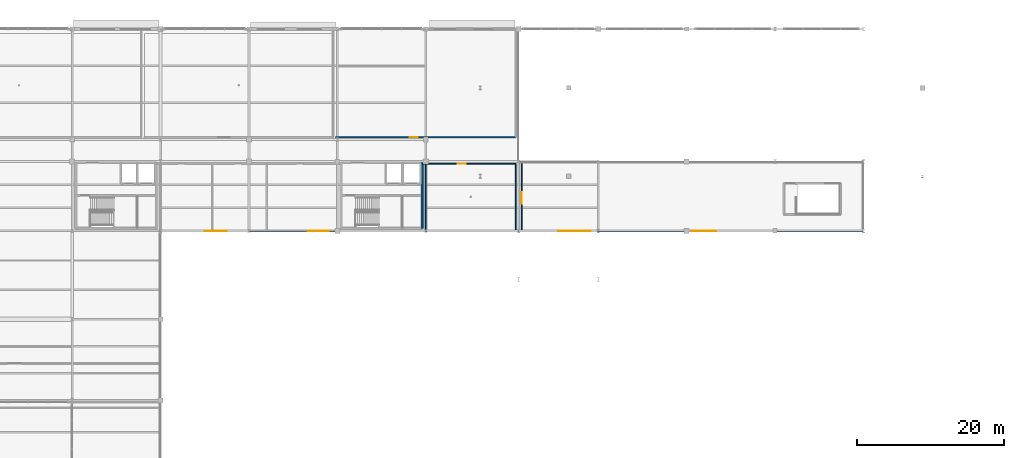
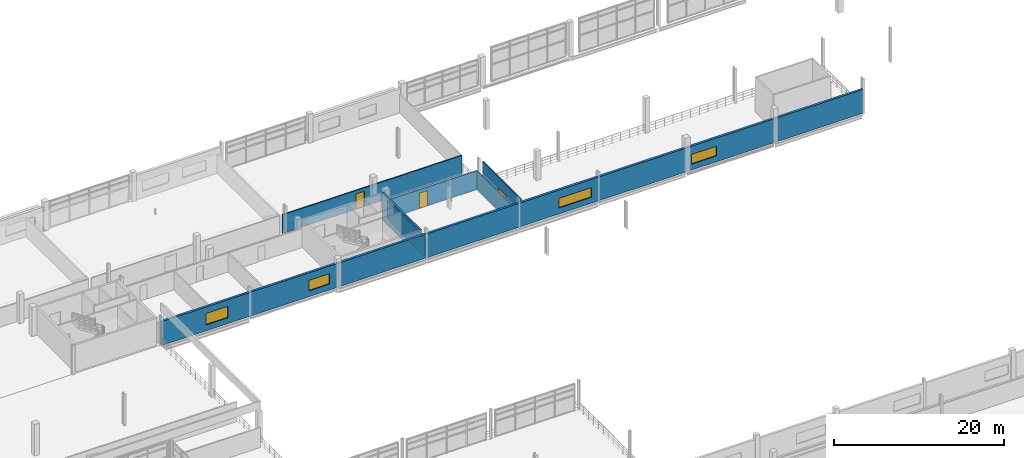
# One storey, part 69 of 89: 7 walls, 4 windows, 3 doors, 7 openings.
"""IFC4 building model written with IfcOpenShell, lengths in metres."""

from ifc_helpers import new_model, si_unit, direction, frame, frame_2d, origin, place, context, subcontext, project, spatial, rectangle, extrude, material, layer, layer_set, type_object, element, fill, save


model = new_model("IFC4")

# Units and contexts
model_context = context("Model", 3, precision=1e-05, world=origin(), true_north=direction((0.0, 1.0)))
body_context = subcontext(model_context, "Body", "Model", "MODEL_VIEW")
ifc_project = project(units=[si_unit("LENGTHUNIT", "METRE"), si_unit("AREAUNIT", "SQUARE_METRE"), si_unit("VOLUMEUNIT", "CUBIC_METRE"), si_unit("PLANEANGLEUNIT", "RADIAN"), si_unit("MASSUNIT", "GRAM", prefix="KILO"), si_unit("THERMODYNAMICTEMPERATUREUNIT", "KELVIN"), si_unit("POWERUNIT", "WATT")], contexts=[model_context])

# Site, building, storey
site_placement = place(None, origin())
site = spatial("IfcSite", under=ifc_project, at=site_placement, CompositionType="ELEMENT")
building_placement = place(site_placement, origin())
building = spatial("IfcBuilding", under=site, at=building_placement, Name="Solmara Park Aquatics Centre", CompositionType="ELEMENT")
storey_placement = place(building_placement, frame((0.0, 0.0, 5.39990234375)))
storey = spatial("IfcBuildingStorey", under=building, at=storey_placement, Name="L01", CompositionType="ELEMENT", Elevation=5.39990234375)

# Walls
ifc_material_1 = material(Name="Double-Stud Acoustic Gypsum Partition", Category="gypsum")
ifc_layer_1 = layer(ifc_material_1, 0.139892578125, Name="Double-Stud Acoustic Gypsum Partition")
ifc_layer_set_1 = layer_set([ifc_layer_1], Name="Double-Stud Acoustic Gypsum Partition")
wall_type_1 = type_object("IfcWallType", Name="ARC-WL-ACU140", PredefinedType="PARTITIONING", material=ifc_layer_set_1)
for number, where, z_axis, x_axis, name in (
    (1, (96.60009765625, 108.75, 0.0), (0.0, 0.0, 1.0), (0.0, 1.0, 0.0), "Interior Partition IW-L01-0108 (L01-LAB-01)"),
    (2, (108.800048828125, 108.75, 0.0), (0.0, 0.0, 1.0), (0.0, 1.0, 0.0), "Interior Partition IW-L01-0109 (L01-LAB-01)"),
):
    element("IfcWall", number, at=place(storey_placement, frame(where, z_axis=z_axis, x_axis=x_axis)), inside=storey, type_object=wall_type_1, Name=name, PredefinedType="PARTITIONING", context=body_context, shape_type="SweptSolid", body=[
        extrude(rectangle(XDim=8.949951171875, YDim=0.139892578125, at=frame_2d((4.47509765625, 0.0))), origin(), (0.0, 0.0, 1.0), 2.7001953125),
    ])

# Wall, opening, door
wall_1_placement = place(storey_placement, frame((96.110107421875, 117.699951171875, 0.0), z_axis=(0.0, 0.0, 1.0), x_axis=(1.0, 0.0, 0.0)))
wall_1 = element("IfcWall", 3, at=wall_1_placement, inside=storey, type_object=wall_type_1, Name="Interior Partition IW-L01-0110 (L01-LAB-01)", PredefinedType="PARTITIONING", context=body_context, shape_type="SweptSolid", body=[
    extrude(rectangle(XDim=12.68994140625, YDim=0.139892578125, at=frame_2d((6.344970703125, 0.0))), origin(), (0.0, 0.0, 1.0), 2.7001953125),
])
opening_1_placement = place(wall_1_placement, frame((4.840087890625, 0.0, 0.0)))
opening_1 = element("IfcOpeningElement", 4, at=opening_1_placement, cuts=wall_1, Name="Opening D-15", PredefinedType="OPENING", context=body_context, shape_type="SweptSolid", body=[
    extrude(rectangle(XDim=1.10009765625, YDim=2.199951171875, at=frame_2d((0.550048828125, 1.10009765625))), frame((0.0, 0.079833984375, 0.0), z_axis=(0.0, -1.0, 0.0), x_axis=(1.0, 0.0, 0.0)), (0.0, 0.0, 1.0), 0.159912109375),
])
ifc_material_2 = material(Name="Moisture-Resistant HPL & Hardwood", Category="wood")
door_type_1 = type_object("IfcDoorType", Name="ARC-DR-SGL110x220", OperationType="NOTDEFINED", PredefinedType="DOOR", material=ifc_material_2)
door_1_placement = place(opening_1_placement, origin())
door_1 = element("IfcDoor", 5, at=door_1_placement, inside=storey, type_object=door_type_1, Name="VO2-Max Exercise Physiology Testing Suite Door", OperationType="SINGLE_SWING_LEFT", OverallHeight=2.199951171875, OverallWidth=1.10009765625, PredefinedType="DOOR", context=body_context, shape_type="SweptSolid", body=[
    extrude(rectangle(XDim=1.10009765625, YDim=2.199951171875, at=frame_2d((0.550048828125, 1.10009765625))), frame((0.0, 0.02490234375, 0.0), z_axis=(0.0, -1.0, 0.0), x_axis=(1.0, 0.0, 0.0)), (0.0, 0.0, 1.0), 0.050048828125),
])
fill(opening_1, door_1)

# Wall
ifc_material_3 = material(Name="Concrete C40/50", Category="concrete")
ifc_layer_2 = layer(ifc_material_3, 0.25, Name="Concrete C40/50")
ifc_layer_set_2 = layer_set([ifc_layer_2], Name="Concrete C40/50")
wall_type_2 = type_object("IfcWallType", Name="ARC-WL-CORE250", PredefinedType="SHEAR", material=ifc_layer_set_2)
wall_2_placement = place(storey_placement, frame((96.10009765625, 108.949951171875, 0.0), z_axis=(0.0, 0.0, 1.0), x_axis=(0.0, 1.0, 0.0)))
element("IfcWall", 6, at=wall_2_placement, inside=storey, type_object=wall_type_2, Name="CORE-2 Core Wall E L01", PredefinedType="SHEAR", context=body_context, shape_type="SweptSolid", body=[
    extrude(rectangle(XDim=8.900146484375, YDim=0.25, at=frame_2d((4.4501953125, 0.0))), origin(), (0.0, 0.0, 1.0), 3.880126953125),
])

# Wall, openings, windows
ifc_material_4 = material(Name="Insulated Limestone Render Wall", Category="masonry")
ifc_layer_3 = layer(ifc_material_4, 0.300048828125, Name="Insulated Limestone Render Wall")
ifc_layer_set_3 = layer_set([ifc_layer_3], Name="Insulated Limestone Render Wall")
wall_type_3 = type_object("IfcWallType", Name="ARC-WL-EXT300", PredefinedType="SOLIDWALL", material=ifc_layer_set_3)
wall_3_placement = place(storey_placement, frame((60.60009765625, 108.60009765625, 0.0), z_axis=(0.0, 0.0, 1.0), x_axis=(1.0, 0.0, 0.0)))
wall_3 = element("IfcWall", 7, at=wall_3_placement, inside=storey, type_object=wall_type_3, Name="Exterior Facade Wall EW-L01-027", PredefinedType="SOLIDWALL", context=body_context, shape_type="SweptSolid", body=[
    extrude(rectangle(XDim=95.39990234375, YDim=0.300048828125, at=frame_2d((47.699951171875, 0.0))), origin(), (0.0, 0.0, 1.0), 3.43017578125),
])
opening_2_placement = place(wall_3_placement, frame((6.0, 0.0, 0.85009765625)))
opening_2 = element("IfcOpeningElement", 8, at=opening_2_placement, cuts=wall_3, Name="Opening W-23", PredefinedType="OPENING", context=body_context, shape_type="SweptSolid", body=[
    extrude(rectangle(XDim=3.0, YDim=1.64990234375, at=frame_2d((1.5, 0.824951171875))), frame((0.0, 0.159912109375, 0.0), z_axis=(0.0, -1.0, 0.0), x_axis=(1.0, 0.0, 0.0)), (0.0, 0.0, 1.0), 0.320068359375),
])
opening_3_placement = place(wall_3_placement, frame((20.0, 0.0, 0.85009765625)))
opening_3 = element("IfcOpeningElement", 9, at=opening_3_placement, cuts=wall_3, Name="Opening W-15", PredefinedType="OPENING", context=body_context, shape_type="SweptSolid", body=[
    extrude(rectangle(XDim=2.800048828125, YDim=1.5, at=frame_2d((1.39990234375, 0.75))), frame((0.0, 0.159912109375, 0.0), z_axis=(0.0, -1.0, 0.0), x_axis=(1.0, 0.0, 0.0)), (0.0, 0.0, 1.0), 0.320068359375),
])
opening_4_placement = place(wall_3_placement, frame((54.0, 0.0, 0.85009765625)))
opening_4 = element("IfcOpeningElement", 10, at=opening_4_placement, cuts=wall_3, Name="Opening W-27", PredefinedType="OPENING", context=body_context, shape_type="SweptSolid", body=[
    extrude(rectangle(XDim=4.39990234375, YDim=1.39990234375, at=frame_2d((2.199951171875, 0.699951171875))), frame((0.0, 0.159912109375, 0.0), z_axis=(0.0, -1.0, 0.0), x_axis=(1.0, 0.0, 0.0)), (0.0, 0.0, 1.0), 0.320068359375),
])
opening_5_placement = place(wall_3_placement, frame((72.0, 0.0, 0.85009765625)))
opening_5 = element("IfcOpeningElement", 11, at=opening_5_placement, cuts=wall_3, Name="Opening W-28", PredefinedType="OPENING", context=body_context, shape_type="SweptSolid", body=[
    extrude(rectangle(XDim=3.39990234375, YDim=1.39990234375, at=frame_2d((1.699951171875, 0.699951171875))), frame((0.0, 0.159912109375, 0.0), z_axis=(0.0, -1.0, 0.0), x_axis=(1.0, 0.0, 0.0)), (0.0, 0.0, 1.0), 0.320068359375),
])
ifc_material_5 = material(Name="Thermally Broken Aluminium and Low-E Double Glazing", Category="aluminium")
window_type_1 = type_object("IfcWindowType", Name="ARC-WN-280x150", PartitioningType="DOUBLE_PANEL_HORIZONTAL", PredefinedType="WINDOW", material=ifc_material_5)
window_1_placement = place(opening_3_placement, frame((2.800048828125, 0.0, 0.0), z_axis=(0.0, 0.0, 1.0), x_axis=(-1.0, 0.0, 0.0)))
window_1 = element("IfcWindow", 12, at=window_1_placement, inside=storey, type_object=window_type_1, Name="Ribbon Window WN-065", OverallHeight=1.5, OverallWidth=2.800048828125, PartitioningType="DOUBLE_PANEL_HORIZONTAL", PredefinedType="WINDOW", context=body_context, shape_type="SweptSolid", body=[
    extrude(rectangle(XDim=2.800048828125, YDim=1.5, at=frame_2d((1.39990234375, 0.75))), frame((0.0, 0.030029296875, 0.0), z_axis=(0.0, -1.0, 0.0), x_axis=(1.0, 0.0, 0.0)), (0.0, 0.0, 1.0), 0.06005859375),
])
fill(opening_3, window_1)
window_type_2 = type_object("IfcWindowType", Name="ARC-WN-300x165", PartitioningType="DOUBLE_PANEL_HORIZONTAL", PredefinedType="WINDOW", material=ifc_material_5)
window_2_placement = place(opening_2_placement, frame((3.0, 0.0, 0.0), z_axis=(0.0, 0.0, 1.0), x_axis=(-1.0, 0.0, 0.0)))
window_2 = element("IfcWindow", 13, at=window_2_placement, inside=storey, type_object=window_type_2, Name="Ribbon Window WN-064", OverallHeight=1.64990234375, OverallWidth=3.0, PartitioningType="DOUBLE_PANEL_HORIZONTAL", PredefinedType="WINDOW", context=body_context, shape_type="SweptSolid", body=[
    extrude(rectangle(XDim=3.0, YDim=1.64990234375, at=frame_2d((1.5, 0.824951171875))), frame((0.0, 0.030029296875, 0.0), z_axis=(0.0, -1.0, 0.0), x_axis=(1.0, 0.0, 0.0)), (0.0, 0.0, 1.0), 0.06005859375),
])
fill(opening_2, window_2)
window_type_3 = type_object("IfcWindowType", Name="ARC-WN-340x140", PartitioningType="DOUBLE_PANEL_HORIZONTAL", PredefinedType="WINDOW", material=ifc_material_5)
window_3_placement = place(opening_5_placement, frame((3.39990234375, 0.0, 0.0), z_axis=(0.0, 0.0, 1.0), x_axis=(-1.0, 0.0, 0.0)))
window_3 = element("IfcWindow", 14, at=window_3_placement, inside=storey, type_object=window_type_3, Name="Ribbon Window WN-067", OverallHeight=1.39990234375, OverallWidth=3.39990234375, PartitioningType="DOUBLE_PANEL_HORIZONTAL", PredefinedType="WINDOW", context=body_context, shape_type="SweptSolid", body=[
    extrude(rectangle(XDim=3.39990234375, YDim=1.39990234375, at=frame_2d((1.699951171875, 0.699951171875))), frame((0.0, 0.030029296875, 0.0), z_axis=(0.0, -1.0, 0.0), x_axis=(1.0, 0.0, 0.0)), (0.0, 0.0, 1.0), 0.06005859375),
])
fill(opening_5, window_3)
window_type_4 = type_object("IfcWindowType", Name="ARC-WN-440x140", PartitioningType="TRIPLE_PANEL_HORIZONTAL", PredefinedType="WINDOW", material=ifc_material_5)
window_4_placement = place(opening_4_placement, frame((4.39990234375, 0.0, 0.0), z_axis=(0.0, 0.0, 1.0), x_axis=(-1.0, 0.0, 0.0)))
window_4 = element("IfcWindow", 15, at=window_4_placement, inside=storey, type_object=window_type_4, Name="Ribbon Window WN-066", OverallHeight=1.39990234375, OverallWidth=4.39990234375, PartitioningType="TRIPLE_PANEL_HORIZONTAL", PredefinedType="WINDOW", context=body_context, shape_type="SweptSolid", body=[
    extrude(rectangle(XDim=4.39990234375, YDim=1.39990234375, at=frame_2d((2.199951171875, 0.699951171875))), frame((0.0, 0.030029296875, 0.0), z_axis=(0.0, -1.0, 0.0), x_axis=(1.0, 0.0, 0.0)), (0.0, 0.0, 1.0), 0.06005859375),
])
fill(opening_4, window_4)

# Wall, opening, door
ifc_material_6 = material(Name="Cement-Rendered Masonry Partition", Category="masonry")
ifc_layer_4 = layer(ifc_material_6, 0.14990234375, Name="Cement-Rendered Masonry Partition")
ifc_layer_set_4 = layer_set([ifc_layer_4], Name="Cement-Rendered Masonry Partition")
wall_type_4 = type_object("IfcWallType", Name="ARC-WL-MAS150", PredefinedType="PARTITIONING", material=ifc_layer_set_4)
wall_4_placement = place(storey_placement, frame((84.39990234375, 121.300048828125, 0.0), z_axis=(0.0, 0.0, 1.0), x_axis=(1.0, 0.0, 0.0)))
wall_4 = element("IfcWall", 16, at=wall_4_placement, inside=storey, type_object=wall_type_4, Name="Interior Partition IW-L01-0099 (L01-GYM-03)", PredefinedType="PARTITIONING", context=body_context, shape_type="SweptSolid", body=[
    extrude(rectangle(XDim=24.400146484375, YDim=0.14990234375, at=frame_2d((12.2001953125, 0.0))), origin(), (0.0, 0.0, 1.0), 2.7001953125),
])
opening_6_placement = place(wall_4_placement, frame((10.0, 0.0, 0.0)))
opening_6 = element("IfcOpeningElement", 17, at=opening_6_placement, cuts=wall_4, Name="Opening D-15", PredefinedType="OPENING", context=body_context, shape_type="SweptSolid", body=[
    extrude(rectangle(XDim=1.10009765625, YDim=2.199951171875, at=frame_2d((0.550048828125, 1.10009765625))), frame((0.0, 0.0849609375, 0.0), z_axis=(0.0, -1.0, 0.0), x_axis=(1.0, 0.0, 0.0)), (0.0, 0.0, 1.0), 0.169921875),
])
door_2_placement = place(opening_6_placement, origin())
door_2 = element("IfcDoor", 18, at=door_2_placement, inside=storey, type_object=door_type_1, Name="Pilates, Mobility and Core Recovery Studio Door", OperationType="SINGLE_SWING_LEFT", OverallHeight=2.199951171875, OverallWidth=1.10009765625, PredefinedType="DOOR", context=body_context, shape_type="SweptSolid", body=[
    extrude(rectangle(XDim=1.10009765625, YDim=2.199951171875, at=frame_2d((0.550048828125, 1.10009765625))), frame((0.0, 0.02490234375, 0.0), z_axis=(0.0, -1.0, 0.0), x_axis=(1.0, 0.0, 0.0)), (0.0, 0.0, 1.0), 0.050048828125),
])
fill(opening_6, door_2)

wall_5_placement = place(storey_placement, frame((109.60009765625, 108.75, 0.0), z_axis=(0.0, 0.0, 1.0), x_axis=(0.0, 1.0, 0.0)))
wall_5 = element("IfcWall", 19, at=wall_5_placement, inside=storey, type_object=wall_type_4, Name="Interior Partition IW-L01-0101 (L01-GAL-TRN)", PredefinedType="PARTITIONING", context=body_context, shape_type="SweptSolid", body=[
    extrude(rectangle(XDim=8.949951171875, YDim=0.14990234375, at=frame_2d((4.47509765625, 0.0))), origin(), (0.0, 0.0, 1.0), 3.760009765625),
])
opening_7_placement = place(wall_5_placement, frame((3.5, 0.0, 0.0)))
opening_7 = element("IfcOpeningElement", 20, at=opening_7_placement, cuts=wall_5, Name="Opening D-19", PredefinedType="OPENING", context=body_context, shape_type="SweptSolid", body=[
    extrude(rectangle(XDim=1.60009765625, YDim=2.199951171875, at=frame_2d((0.800048828125, 1.10009765625))), frame((0.0, 0.0849609375, 0.0), z_axis=(0.0, -1.0, 0.0), x_axis=(1.0, 0.0, 0.0)), (0.0, 0.0, 1.0), 0.169921875),
])
door_type_2 = type_object("IfcDoorType", Name="ARC-DR-DBL160x220", OperationType="DOUBLE_DOOR_SINGLE_SWING", PredefinedType="DOOR", material=ifc_material_2)
door_3_placement = place(opening_7_placement, origin())
door_3 = element("IfcDoor", 21, at=door_3_placement, inside=storey, type_object=door_type_2, Name="Training Pool Parents Viewing Gallery Door", OperationType="DOUBLE_DOOR_SINGLE_SWING", OverallHeight=2.199951171875, OverallWidth=1.60009765625, PredefinedType="DOOR", context=body_context, shape_type="SweptSolid", body=[
    extrude(rectangle(XDim=1.60009765625, YDim=2.199951171875, at=frame_2d((0.800048828125, 1.10009765625))), frame((0.0, 0.02490234375, 0.0), z_axis=(0.0, -1.0, 0.0), x_axis=(1.0, 0.0, 0.0)), (0.0, 0.0, 1.0), 0.050048828125),
])
fill(opening_7, door_3)

save(model, "model.ifc")
